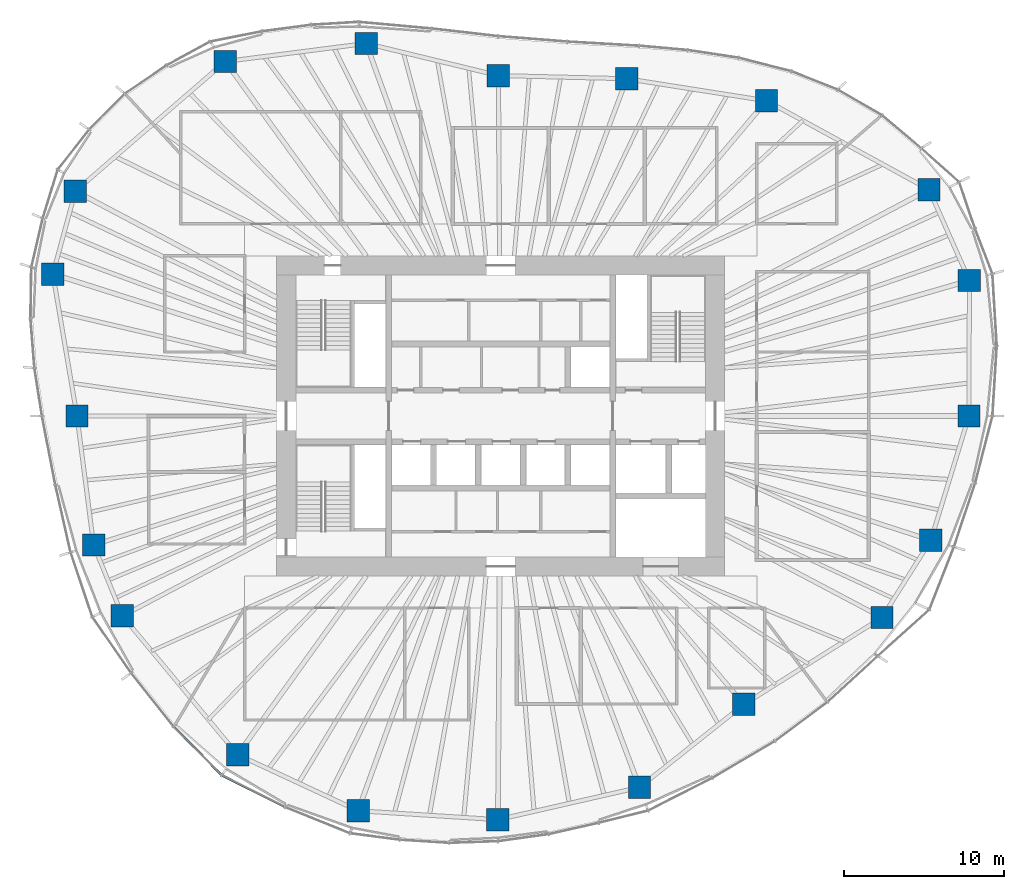
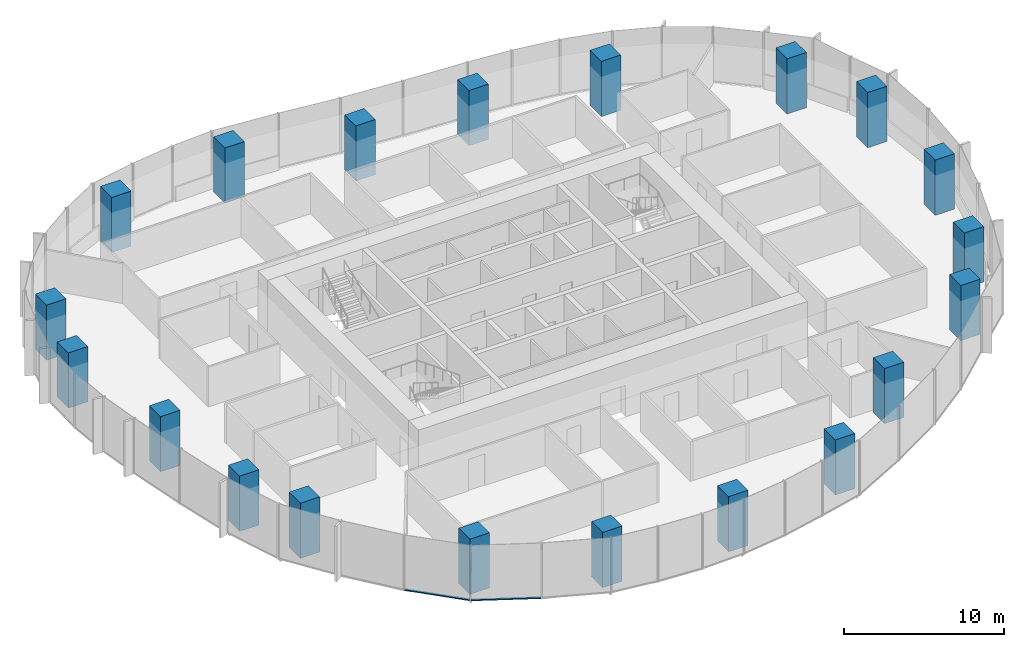
# One storey, part 1 of 18: 20 columns, 2 members, 2 elements without a shape of their own.
"""IFC4 building model written with IfcOpenShell, lengths in metres."""

from ifc_helpers import new_model, si_unit, direction, frame, origin, origin_2d, place, context, subcontext, project, spatial, rectangle, extrude, material, material_profile, profile_set, type_object, element, aggregate, save


model = new_model("IFC4")

# Units and contexts
model_context = context("Model", 3, precision=1e-05, world=origin(), true_north=direction((0.0, 1.0)))
body_context = subcontext(model_context, "Body", "Model", "MODEL_VIEW")
ifc_project = project(units=[si_unit("LENGTHUNIT", "METRE"), si_unit("AREAUNIT", "SQUARE_METRE"), si_unit("VOLUMEUNIT", "CUBIC_METRE"), si_unit("PLANEANGLEUNIT", "RADIAN"), si_unit("MASSUNIT", "GRAM", prefix="KILO")], contexts=[model_context])

# Site, building, storey
site_placement = place(None, origin())
site = spatial("IfcSite", under=ifc_project, at=site_placement, CompositionType="ELEMENT")
building_placement = place(site_placement, origin())
building = spatial("IfcBuilding", under=site, at=building_placement, Name="Ghaith Harvest Tower", CompositionType="ELEMENT")
storey_placement = place(building_placement, frame((0.0, 0.0, 159.60009765625)))
storey = spatial("IfcBuildingStorey", under=building, at=storey_placement, Name="L34", CompositionType="ELEMENT", Elevation=159.60009765625)

# Columns
ifc_material_1 = material(Name="Concrete C60/75", Category="concrete")
ifc_material_profile_1 = material_profile(ifc_material_1, rectangle(XDim=1.39990234375, YDim=1.39990234375, at=origin_2d()), Name="RC1400X1400")
ifc_profile_set_1 = profile_set([ifc_material_profile_1], Name="Concrete C60/75")
column_type = type_object("IfcColumnType", Name="TC4 RC1400X1400", PredefinedType="COLUMN", material=ifc_profile_set_1)
for number, where, z_axis, x_axis, name in (
    (1, (29.259033203125, 0.0, 0.0), (0.0, 0.0, 1.0), (1.0, 0.0, 0.0), "Perimeter column C01"),
    (2, (29.285888671875, 8.464111328125, 0.0), (0.0, 0.0, 1.0), (1.0, 0.0, 0.0), "Perimeter column C02"),
    (3, (26.763916015625, 14.14697265625, 0.0), (0.0, 0.0, 1.0), (1.0, 0.0, 0.0), "Perimeter column C03"),
    (4, (16.60791015625, 19.695068359375, 0.0), (0.0, 0.0, 1.0), (1.0, 0.0, 0.0), "Perimeter column C04"),
    (5, (7.8779296875, 21.072021484375, 0.0), (0.0, 0.0, 1.0), (1.0, 0.0, 0.0), "Perimeter column C05"),
    (6, (-0.14599609375, 21.27099609375, 0.0), (0.0, 0.0, 1.0), (1.0, 0.0, 0.0), "Perimeter column C06"),
    (7, (-8.406982421875, 23.27587890625, 0.0), (0.0, 0.0, 1.0), (1.0, 0.0, 0.0), "Perimeter column C07"),
    (8, (-17.201904296875, 22.14990234375, 0.0), (0.0, 0.0, 1.0), (1.0, 0.0, 0.0), "Perimeter column C08"),
    (9, (-26.572998046875, 14.0458984375, 0.0), (0.0, 0.0, 1.0), (1.0, 0.0, 0.0), "Perimeter column C09"),
    (10, (-27.98291015625, 8.867919921875, 0.0), (0.0, 0.0, 1.0), (1.0, 0.0, 0.0), "Perimeter column C10"),
    (11, (-26.47509765625, 0.0, 0.0), (0.0, 0.0, 1.0), (1.0, 0.0, 0.0), "Perimeter column C11"),
    (12, (-25.43603515625, -8.06103515625, 0.0), (0.0, 0.0, 1.0), (1.0, 0.0, 0.0), "Perimeter column C12"),
    (13, (-23.635009765625, -12.492919921875, 0.0), (0.0, 0.0, 1.0), (1.0, 0.0, 0.0), "Perimeter column C13"),
    (14, (-16.43701171875, -21.1640625, 0.0), (0.0, 0.0, 1.0), (1.0, 0.0, 0.0), "Perimeter column C14"),
    (15, (-8.908935546875, -24.66796875, 0.0), (0.0, 0.0, 1.0), (1.0, 0.0, 0.0), "Perimeter column C15"),
    (16, (-0.173095703125, -25.22412109375, 0.0), (0.0, 0.0, 1.0), (1.0, 0.0, 0.0), "Perimeter column C16"),
    (17, (8.674072265625, -23.202880859375, 0.0), (0.0, 0.0, 1.0), (1.0, 0.0, 0.0), "Perimeter column C17"),
    (18, (15.197998046875, -18.02294921875, 0.0), (0.0, 0.0, 1.0), (1.0, 0.0, 0.0), "Perimeter column C18"),
    (19, (23.825927734375, -12.593994140625, 0.0), (0.0, 0.0, 1.0), (1.0, 0.0, 0.0), "Perimeter column C19"),
    (20, (26.8779296875, -7.76806640625, 0.0), (0.0, 0.0, 1.0), (1.0, 0.0, 0.0), "Perimeter column C20"),
):
    element("IfcColumn", number, at=place(storey_placement, frame(where, z_axis=z_axis, x_axis=x_axis)), inside=storey, type_object=column_type, Name=name, PredefinedType="COLUMN", context=body_context, shape_type="SweptSolid", body=[
        extrude(rectangle(XDim=1.39990234375, YDim=1.39990234375, at=origin_2d()), origin(), (0.0, 0.0, 1.0), 4.199951171875),
    ])

# Curtain wall, member
ifc_material_2 = material(Name="Black anodised aluminium and fritted glass", Category="aluminium")
curtain_wall_type = type_object("IfcCurtainWallType", Name="CW-L CURTAIN WALL", PredefinedType="NOTDEFINED", material=ifc_material_2)
curtain_wall_1_placement = place(storey_placement, origin())
curtain_wall_1 = element("IfcCurtainWall", 21, at=curtain_wall_1_placement, inside=storey, type_object=curtain_wall_type, Name="Curtain wall CW-L bay 13 L34", PredefinedType="NOTDEFINED")
ifc_material_3 = material(Name="Aluminium, black anodised", Category="aluminium")
ifc_material_profile_2 = material_profile(ifc_material_3, rectangle(XDim=0.14990234375, YDim=0.080078125, at=origin_2d()), Name="CW-L TRANSOM 150x80")
ifc_profile_set_2 = profile_set([ifc_material_profile_2], Name="Aluminium, black anodised")
member_type = type_object("IfcMemberType", Name="CW-L TRANSOM 150x80", PredefinedType="USERDEFINED", material=ifc_profile_set_2)
member_1_placement = place(storey_placement, frame((-20.4130859375, -19.425048828125, 0.039794921875), z_axis=(0.702854410476, -0.711333731574, 0.0), x_axis=(0.711333731574, 0.702854410476, 0.0)))
member_1 = element("IfcMember", 22, at=member_1_placement, type_object=member_type, Name="CW-L transom 2 bay 13 L34", ObjectType="TRANSOM", PredefinedType="USERDEFINED", context=body_context, shape_type="SweptSolid", body=[
    extrude(rectangle(XDim=0.14990234375, YDim=0.080078125, at=origin_2d()), origin(), (0.0, 0.0, 1.0), 4.20361328125),
])
aggregate(curtain_wall_1, [member_1])

curtain_wall_2_placement = place(storey_placement, origin())
curtain_wall_2 = element("IfcCurtainWall", 23, at=curtain_wall_2_placement, inside=storey, type_object=curtain_wall_type, Name="Curtain wall CW-L bay 14 L34", PredefinedType="NOTDEFINED")
member_2_placement = place(storey_placement, frame((-17.394775390625, -22.461669921875, 0.039794921875), z_axis=(0.893057524502, -0.449942505138, 0.0), x_axis=(0.449942505138, 0.893057524502, 0.0)))
member_2 = element("IfcMember", 24, at=member_2_placement, type_object=member_type, Name="CW-L transom 1 bay 14 L34", ObjectType="TRANSOM", PredefinedType="USERDEFINED", context=body_context, shape_type="SweptSolid", body=[
    extrude(rectangle(XDim=0.14990234375, YDim=0.080078125, at=origin_2d()), origin(), (0.0, 0.0, 1.0), 4.362548828125),
])
aggregate(curtain_wall_2, [member_2])

save(model, "model.ifc")
